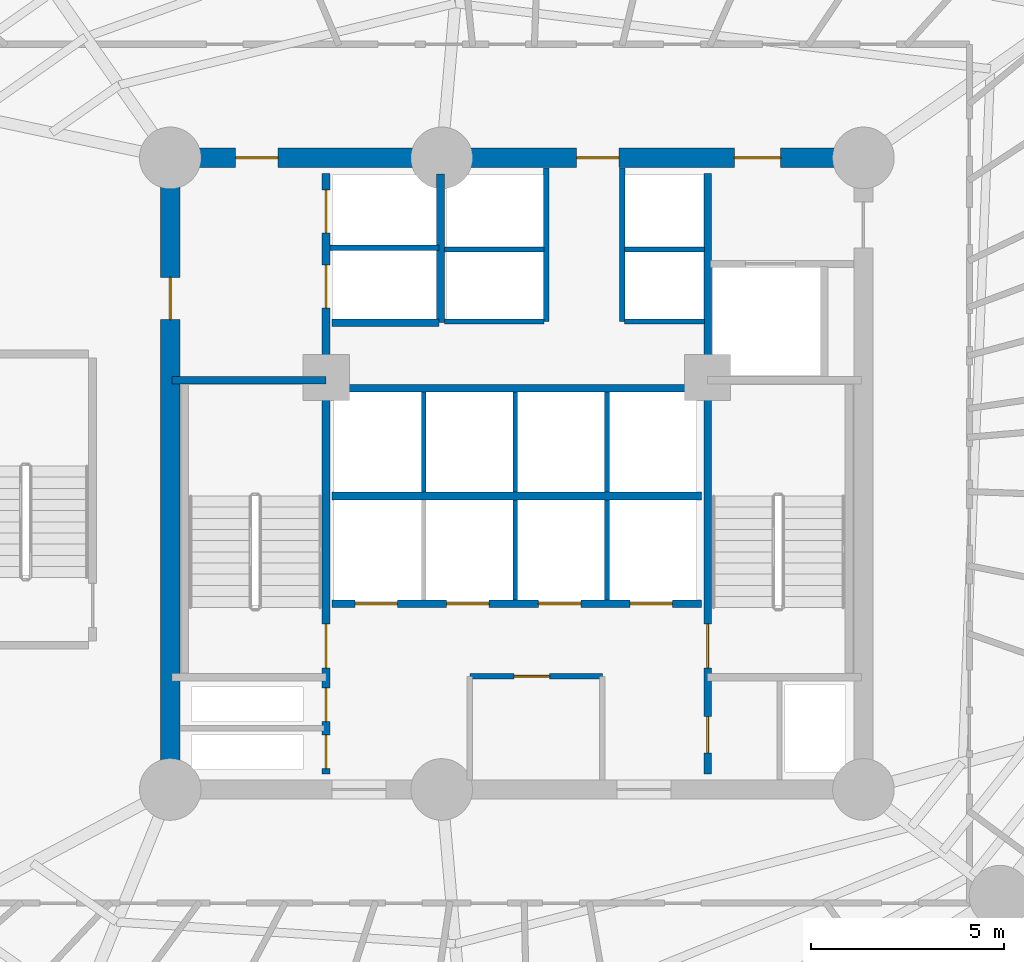
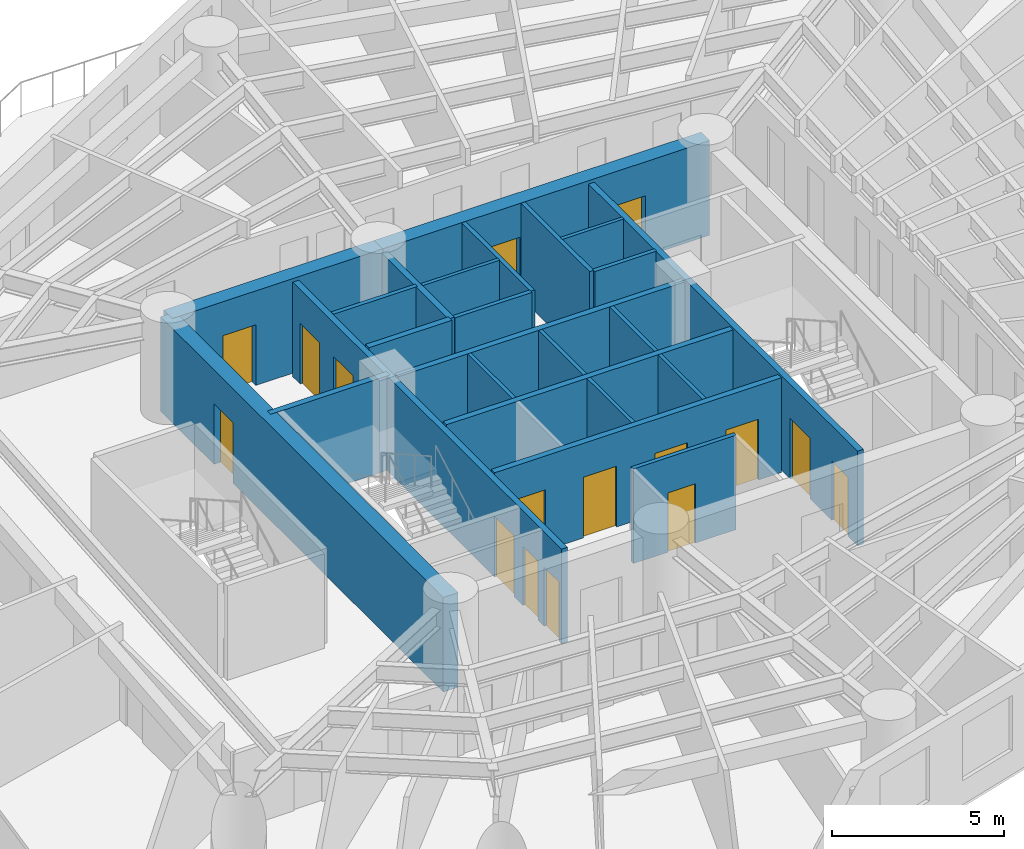
# One storey, part 4 of 9: 24 walls, 16 doors, 16 openings.
"""IFC4 building model written with IfcOpenShell, lengths in metres."""

from ifc_helpers import new_model, si_unit, direction, frame, frame_2d, origin, origin_with_axes, place, context, subcontext, project, spatial, rectangle, extrude, source, transform, mapped, material, layer, layer_set, type_object, element, fill, save


model = new_model("IFC4")

# Units and contexts
model_context = context("Model", 3, precision=1e-05, world=origin(), true_north=direction((0.0, 1.0)))
body_context = subcontext(model_context, "Body", "Model", "MODEL_VIEW")
ifc_project = project(units=[si_unit("LENGTHUNIT", "METRE"), si_unit("AREAUNIT", "SQUARE_METRE"), si_unit("VOLUMEUNIT", "CUBIC_METRE"), si_unit("PLANEANGLEUNIT", "RADIAN"), si_unit("MASSUNIT", "GRAM", prefix="KILO")], contexts=[model_context])

# Site, building, storey
site_placement = place(None, origin())
site = spatial("IfcSite", under=ifc_project, at=site_placement, CompositionType="ELEMENT")
building_placement = place(site_placement, origin())
building = spatial("IfcBuilding", under=site, at=building_placement, Name="Karkom Vertical University and Central Library", CompositionType="ELEMENT")
storey_placement = place(building_placement, frame((0.0, 0.0, 26.5)))
storey = spatial("IfcBuildingStorey", under=building, at=storey_placement, Name="L06", CompositionType="ELEMENT", Elevation=26.5)

# Walls
ifc_material_1 = material(Name="Moisture-resistant drywall 120mm", Category="gypsum")
ifc_layer_1 = layer(ifc_material_1, 0.1201171875)
ifc_layer_set_1 = layer_set([ifc_layer_1], Name="Moisture-resistant drywall 120mm")
wall_type_1 = type_object("IfcWallType", Name="INT-WL-INT-120H", PredefinedType="PARTITIONING", material=ifc_layer_set_1)
for number, where, z_axis, x_axis, name in (
    (1, (28.4599609375, 23.219970703125, 0.0), (0.0, 0.0, 1.0), (0.0, 1.0, 0.0), "Level 06 Interior Partition Wall Level 06-CW-PL-DIV2"),
    (2, (30.840087890625, 23.219970703125, 0.0), (0.0, 0.0, 1.0), (0.0, 1.0, 0.0), "Level 06 Interior Partition Wall Level 06-CW-PL-DIV3"),
    (3, (26.080078125, 26.02001953125, 0.0), (0.0, 0.0, 1.0), (0.0, 1.0, 0.0), "Level 06 Interior Partition Wall Level 06-CW-PM-DIV1"),
    (4, (28.4599609375, 26.02001953125, 0.0), (0.0, 0.0, 1.0), (0.0, 1.0, 0.0), "Level 06 Interior Partition Wall Level 06-CW-PM-DIV2"),
    (5, (30.840087890625, 26.02001953125, 0.0), (0.0, 0.0, 1.0), (0.0, 1.0, 0.0), "Level 06 Interior Partition Wall Level 06-CW-PM-DIV3"),
):
    element("IfcWall", number, at=place(storey_placement, frame(where, z_axis=z_axis, x_axis=x_axis)), inside=storey, type_object=wall_type_1, Name=name, PredefinedType="PARTITIONING", context=body_context, shape_type="SweptSolid", body=[
        extrude(rectangle(XDim=2.60009765625, YDim=0.1201171875, at=frame_2d((1.300048828125, 0.0))), origin(), (0.0, 0.0, 1.0), 3.35009765625),
    ])
wall_1_placement = place(storey_placement, frame((26.6201171875, 32.320068359375, 0.0), z_axis=(0.0, 0.0, 1.0), x_axis=(1.0, 0.0, 0.0)))
element("IfcWall", 6, at=wall_1_placement, inside=storey, type_object=wall_type_1, Name="Level 06 Interior Partition Wall Level 06-CW-PH-MW", PredefinedType="PARTITIONING", context=body_context, shape_type="SweptSolid", body=[
    extrude(rectangle(XDim=2.579833984375, YDim=0.1201171875, at=frame_2d((1.2900390625, 0.0))), origin(), (0.0, 0.0, 1.0), 3.35009765625),
])
wall_2_placement = place(storey_placement, frame((31.300048828125, 32.320068359375, 0.0), z_axis=(0.0, 0.0, 1.0), x_axis=(1.0, 0.0, 0.0)))
element("IfcWall", 7, at=wall_2_placement, inside=storey, type_object=wall_type_1, Name="Level 06 Interior Partition Wall Level 06-CW-PH-ME", PredefinedType="PARTITIONING", context=body_context, shape_type="SweptSolid", body=[
    extrude(rectangle(XDim=2.074951171875, YDim=0.1201171875, at=frame_2d((1.03759765625, 0.0))), origin(), (0.0, 0.0, 1.0), 3.35009765625),
])

# Wall, opening, door
ifc_material_2 = material(Name="Metal-stud gypsum partition 140mm", Category="gypsum")
ifc_layer_2 = layer(ifc_material_2, 0.139892578125)
ifc_layer_set_2 = layer_set([ifc_layer_2], Name="Metal-stud gypsum partition 140mm")
wall_type_2 = type_object("IfcWallType", Name="INT-WL-SUB-140", PredefinedType="PARTITIONING", material=ifc_layer_set_2)
wall_3_placement = place(storey_placement, frame((27.280029296875, 21.239990234375, 0.0), z_axis=(0.0, 0.0, 1.0), x_axis=(1.0, 0.0, 0.0)))
wall_3 = element("IfcWall", 8, at=wall_3_placement, inside=storey, type_object=wall_type_2, Name="Level 06 Interior Partition Wall Level 06-CW-KBAY-N", PredefinedType="PARTITIONING", context=body_context, shape_type="SweptSolid", body=[
    extrude(rectangle(XDim=3.43994140625, YDim=0.139892578125, at=frame_2d((1.719970703125, 0.0))), origin(), (0.0, 0.0, 1.0), 3.35009765625),
])
opening_1_placement = place(wall_3_placement, frame((1.14990234375, 0.0, 0.0)))
opening_1 = element("IfcOpeningElement", 9, at=opening_1_placement, cuts=wall_3, Name="Opening D-SVC1", PredefinedType="OPENING", context=body_context, shape_type="SweptSolid", body=[
    extrude(rectangle(XDim=0.919921875, YDim=2.10009765625, at=frame_2d((0.4599609375, 1.050048828125))), frame((0.0, 0.080078125, 0.0), z_axis=(0.0, -1.0, 0.0), x_axis=(1.0, 0.0, 0.0)), (0.0, 0.0, 1.0), 0.159912109375),
])
ifc_material_3 = material(Name="Painted timber service door", Category="wood")
door_type_1 = type_object("IfcDoorType", Name="INT-DR-SVC1", OperationType="NOTDEFINED", PredefinedType="DOOR", material=ifc_material_3)
shared_shape_1 = source(origin_with_axes(), body_context, "Body", "SweptSolid", [
    extrude(rectangle(XDim=0.919921875, YDim=2.10009765625, at=frame_2d((0.4599609375, 1.050048828125))), frame((0.0, 0.02490234375, 0.0), z_axis=(0.0, -1.0, 0.0), x_axis=(1.0, 0.0, 0.0)), (0.0, 0.0, 1.0), 0.050048828125),
])
door_1_placement = place(opening_1_placement, origin())
door_1 = element("IfcDoor", 10, at=door_1_placement, inside=storey, type_object=door_type_1, Name="Level 06 Comms Room Door", OperationType="SINGLE_SWING_RIGHT", OverallHeight=2.10009765625, OverallWidth=0.919921875, PredefinedType="DOOR", context=body_context, shape_type="MappedRepresentation", body=[
    mapped(shared_shape_1, transform((0.0, 0.0, 0.0), scale=1.0)),
])
fill(opening_1, door_1)

# Walls
ifc_layer_3 = layer(ifc_material_2, 0.139892578125)
ifc_layer_set_3 = layer_set([ifc_layer_3], Name="Metal-stud gypsum partition 140mm")
wall_type_3 = type_object("IfcWallType", Name="INT-WL-SUB-140H", PredefinedType="PARTITIONING", material=ifc_layer_set_3)
for number, where, z_axis, x_axis, name in (
    (11, (29.260009765625, 30.449951171875, 0.0), (0.0, 0.0, 1.0), (0.0, 1.0, 0.0), "Level 06 Interior Partition Wall Level 06-CW-PH-W"),
    (12, (31.239990234375, 30.449951171875, 0.0), (0.0, 0.0, 1.0), (0.0, 1.0, 0.0), "Level 06 Interior Partition Wall Level 06-CW-PH-E"),
):
    element("IfcWall", number, at=place(storey_placement, frame(where, z_axis=z_axis, x_axis=x_axis)), inside=storey, type_object=wall_type_3, Name=name, PredefinedType="PARTITIONING", context=body_context, shape_type="SweptSolid", body=[
        extrude(rectangle(XDim=3.9931640625, YDim=0.139892578125, at=frame_2d((1.99658203125, 0.0))), origin(), (0.0, 0.0, 1.0), 3.35009765625),
    ])
wall_4_placement = place(storey_placement, frame((26.6201171875, 30.449951171875, 0.0), z_axis=(0.0, 0.0, 1.0), x_axis=(1.0, 0.0, 0.0)))
element("IfcWall", 13, at=wall_4_placement, inside=storey, type_object=wall_type_3, Name="Level 06 Interior Partition Wall Level 06-CW-PH-S1", PredefinedType="PARTITIONING", context=body_context, shape_type="SweptSolid", body=[
    extrude(rectangle(XDim=2.579833984375, YDim=0.139892578125, at=frame_2d((1.2900390625, 0.0))), origin(), (0.0, 0.0, 1.0), 3.35009765625),
])
wall_5_placement = place(storey_placement, frame((31.300048828125, 30.449951171875, 0.0), z_axis=(0.0, 0.0, 1.0), x_axis=(1.0, 0.0, 0.0)))
element("IfcWall", 14, at=wall_5_placement, inside=storey, type_object=wall_type_3, Name="Level 06 Interior Partition Wall Level 06-CW-PH-S2", PredefinedType="PARTITIONING", context=body_context, shape_type="SweptSolid", body=[
    extrude(rectangle(XDim=2.074951171875, YDim=0.139892578125, at=frame_2d((1.03759765625, 0.0))), origin(), (0.0, 0.0, 1.0), 3.35009765625),
])
ifc_layer_4 = layer(ifc_material_2, 0.139892578125)
ifc_layer_set_4 = layer_set([ifc_layer_4], Name="Metal-stud gypsum partition 140mm")
wall_type_4 = type_object("IfcWallType", Name="INT-WL-SUB-140X", PredefinedType="PARTITIONING", material=ifc_layer_set_4)
wall_6_placement = place(storey_placement, frame((23.652099609375, 32.3701171875, 0.0), z_axis=(0.0, 0.0, 1.0), x_axis=(1.0, 0.0, 0.0)))
element("IfcWall", 15, at=wall_6_placement, inside=storey, type_object=wall_type_4, Name="Level 06 Interior Partition Wall Level 06-CW-FFL-M", PredefinedType="PARTITIONING", context=body_context, shape_type="SweptSolid", body=[
    extrude(rectangle(XDim=2.827880859375, YDim=0.139892578125, at=frame_2d((1.4140625, 0.0))), origin(), (0.0, 0.0, 1.0), 3.35009765625),
])

# Wall, openings, doors
ifc_material_4 = material(Name="Concrete C50/60", Category="concrete")
ifc_layer_5 = layer(ifc_material_4, 0.5)
ifc_layer_set_5 = layer_set([ifc_layer_5], Name="Concrete C50/60")
wall_type_5 = type_object("IfcWallType", Name="STR-WL-CW-500", PredefinedType="SHEAR", material=ifc_layer_set_5)
wall_7_placement = place(storey_placement, frame((37.5, 34.699951171875, 0.0), z_axis=(0.0, 0.0, 1.0), x_axis=(-1.0, 0.0, 0.0)))
wall_7 = element("IfcWall", 16, at=wall_7_placement, inside=storey, type_object=wall_type_5, Name="Level 06 Central Core Shear Wall NW1", PredefinedType="SHEAR", context=body_context, shape_type="SweptSolid", body=[
    extrude(rectangle(XDim=10.949951171875, YDim=0.5, at=frame_2d((5.47509765625, 0.0))), origin(), (0.0, 0.0, 1.0), 3.35009765625),
])
opening_2_placement = place(wall_7_placement, frame((2.14990234375, 0.0, 0.0)))
opening_2 = element("IfcOpeningElement", 17, at=opening_2_placement, cuts=wall_7, Name="Opening FD-SUB1", PredefinedType="OPENING", context=body_context, shape_type="SweptSolid", body=[
    extrude(rectangle(XDim=1.199951171875, YDim=2.14990234375, at=frame_2d((0.60009765625, 1.074951171875))), frame((0.0, 0.260009765625, 0.0), z_axis=(0.0, -1.0, 0.0), x_axis=(1.0, 0.0, 0.0)), (0.0, 0.0, 1.0), 0.52001953125),
])
opening_3_placement = place(wall_7_placement, frame((6.35009765625, 0.0, 0.0)))
opening_3 = element("IfcOpeningElement", 18, at=opening_3_placement, cuts=wall_7, Name="Opening FD-FFL", PredefinedType="OPENING", context=body_context, shape_type="SweptSolid", body=[
    extrude(rectangle(XDim=1.10009765625, YDim=2.14990234375, at=frame_2d((0.550048828125, 1.074951171875))), frame((0.0, 0.260009765625, 0.0), z_axis=(0.0, -1.0, 0.0), x_axis=(1.0, 0.0, 0.0)), (0.0, 0.0, 1.0), 0.52001953125),
])
ifc_material_5 = material(Name="Painted steel smoke-seal fire door", Category="steel")
door_type_2 = type_object("IfcDoorType", Name="INT-DR-FFL", OperationType="NOTDEFINED", PredefinedType="DOOR", material=ifc_material_5)
shared_shape_2 = source(origin_with_axes(), body_context, "Body", "SweptSolid", [
    extrude(rectangle(XDim=1.10009765625, YDim=2.14990234375, at=frame_2d((0.550048828125, 1.074951171875))), frame((0.0, 0.02490234375, 0.0), z_axis=(0.0, -1.0, 0.0), x_axis=(1.0, 0.0, 0.0)), (0.0, 0.0, 1.0), 0.050048828125),
])
door_2_placement = place(opening_3_placement, origin())
door_2 = element("IfcDoor", 19, at=door_2_placement, inside=storey, type_object=door_type_2, Name="Level 06 North Core Lobby Exit Door", OperationType="SINGLE_SWING_LEFT", OverallHeight=2.14990234375, OverallWidth=1.10009765625, PredefinedType="DOOR", context=body_context, shape_type="MappedRepresentation", body=[
    mapped(shared_shape_2, transform((0.0, 0.0, 0.0), scale=1.0)),
])
fill(opening_3, door_2)
ifc_material_6 = material(Name="Painted steel fire door", Category="steel")
door_type_3 = type_object("IfcDoorType", Name="INT-DR-SUB1", OperationType="NOTDEFINED", PredefinedType="DOOR", material=ifc_material_6)
shared_shape_3 = source(origin_with_axes(), body_context, "Body", "SweptSolid", [
    extrude(rectangle(XDim=1.199951171875, YDim=2.14990234375, at=frame_2d((0.60009765625, 1.074951171875))), frame((0.0, 0.02490234375, 0.0), z_axis=(0.0, -1.0, 0.0), x_axis=(1.0, 0.0, 0.0)), (0.0, 0.0, 1.0), 0.050048828125),
])
door_3_placement = place(opening_2_placement, origin())
door_3 = element("IfcDoor", 20, at=door_3_placement, inside=storey, type_object=door_type_3, Name="Level 06 Service Lobby Fire Door", OperationType="SINGLE_SWING_RIGHT", OverallHeight=2.14990234375, OverallWidth=1.199951171875, PredefinedType="DOOR", context=body_context, shape_type="MappedRepresentation", body=[
    mapped(shared_shape_3, transform((0.0, 0.0, 0.0), scale=1.0)),
])
fill(opening_2, door_3)

# Wall, opening, door
wall_8_placement = place(storey_placement, frame((26.550048828125, 34.699951171875, 0.0), z_axis=(0.0, 0.0, 1.0), x_axis=(-1.0, 0.0, 0.0)))
wall_8 = element("IfcWall", 21, at=wall_8_placement, inside=storey, type_object=wall_type_5, Name="Level 06 Central Core Shear Wall NW2", PredefinedType="SHEAR", context=body_context, shape_type="SweptSolid", body=[
    extrude(rectangle(XDim=7.050048828125, YDim=0.5, at=frame_2d((3.52490234375, 0.0))), origin(), (0.0, 0.0, 1.0), 3.35009765625),
])
opening_4_placement = place(wall_8_placement, frame((4.25, 0.0, 0.0)))
opening_4 = element("IfcOpeningElement", 22, at=opening_4_placement, cuts=wall_8, Name="Opening FD-FFL", PredefinedType="OPENING", context=body_context, shape_type="SweptSolid", body=[
    extrude(rectangle(XDim=1.10009765625, YDim=2.14990234375, at=frame_2d((0.550048828125, 1.074951171875))), frame((0.0, 0.260009765625, 0.0), z_axis=(0.0, -1.0, 0.0), x_axis=(1.0, 0.0, 0.0)), (0.0, 0.0, 1.0), 0.52001953125),
])
door_4_placement = place(opening_4_placement, origin())
door_4 = element("IfcDoor", 23, at=door_4_placement, inside=storey, type_object=door_type_2, Name="Level 06 Firefighting Lobby Door", OperationType="SINGLE_SWING_LEFT", OverallHeight=2.14990234375, OverallWidth=1.10009765625, PredefinedType="DOOR", context=body_context, shape_type="MappedRepresentation", body=[
    mapped(shared_shape_2, transform((0.0, 0.0, 0.0), scale=1.0)),
])
fill(opening_4, door_4)

wall_9_placement = place(storey_placement, frame((19.5, 34.699951171875, 0.0), z_axis=(0.0, 0.0, 1.0), x_axis=(0.0, -1.0, 0.0)))
wall_9 = element("IfcWall", 24, at=wall_9_placement, inside=storey, type_object=wall_type_5, Name="Level 06 Central Core Shear Wall WW", PredefinedType="SHEAR", context=body_context, shape_type="SweptSolid", body=[
    extrude(rectangle(XDim=16.39990234375, YDim=0.5, at=frame_2d((8.199951171875, 0.0))), origin(), (0.0, 0.0, 1.0), 3.35009765625),
])
opening_5_placement = place(wall_9_placement, frame((3.10009765625, 0.0, 0.0)))
opening_5 = element("IfcOpeningElement", 25, at=opening_5_placement, cuts=wall_9, Name="Opening FD-FFL", PredefinedType="OPENING", context=body_context, shape_type="SweptSolid", body=[
    extrude(rectangle(XDim=1.10009765625, YDim=2.14990234375, at=frame_2d((0.550048828125, 1.074951171875))), frame((0.0, 0.260009765625, 0.0), z_axis=(0.0, -1.0, 0.0), x_axis=(1.0, 0.0, 0.0)), (0.0, 0.0, 1.0), 0.52001953125),
])
door_5_placement = place(opening_5_placement, origin())
door_5 = element("IfcDoor", 26, at=door_5_placement, inside=storey, type_object=door_type_2, Name="Level 06 West Corridor Firefighting Lobby Door", OperationType="SINGLE_SWING_RIGHT", OverallHeight=2.14990234375, OverallWidth=1.10009765625, PredefinedType="DOOR", context=body_context, shape_type="MappedRepresentation", body=[
    mapped(shared_shape_2, transform((0.0, 0.0, 0.0), scale=1.0)),
])
fill(opening_5, door_5)

# Wall, openings, doors
ifc_material_7 = material(Name="Concrete C45/55", Category="concrete")
ifc_layer_6 = layer(ifc_material_7, 0.199951171875)
ifc_layer_set_6 = layer_set([ifc_layer_6], Name="Concrete C45/55")
wall_type_6 = type_object("IfcWallType", Name="STR-WL-ST-200", PredefinedType="SHEAR", material=ifc_layer_set_6)
wall_10_placement = place(storey_placement, frame((23.544921875, 18.699951171875, 0.0), z_axis=(0.0, 0.0, 1.0), x_axis=(0.0, 1.0, 0.0)))
wall_10 = element("IfcWall", 27, at=wall_10_placement, inside=storey, type_object=wall_type_6, Name="Level 06 Core Shaft Wall Level 06-CW-ST1-E", PredefinedType="SHEAR", context=body_context, shape_type="SweptSolid", body=[
    extrude(rectangle(XDim=15.60009765625, YDim=0.199951171875, at=frame_2d((7.800048828125, 0.0))), origin(), (0.0, 0.0, 1.0), 3.35009765625),
])
opening_6_placement = place(wall_10_placement, frame((2.75, 0.0, 0.0)))
opening_6 = element("IfcOpeningElement", 28, at=opening_6_placement, cuts=wall_10, Name="Opening FD-ST1", PredefinedType="OPENING", context=body_context, shape_type="SweptSolid", body=[
    extrude(rectangle(XDim=1.14990234375, YDim=2.14990234375, at=frame_2d((0.574951171875, 1.074951171875))), frame((0.0, 0.10986328125, 0.0), z_axis=(0.0, -1.0, 0.0), x_axis=(1.0, 0.0, 0.0)), (0.0, 0.0, 1.0), 0.219970703125),
])
opening_7_placement = place(wall_10_placement, frame((0.139892578125, 0.0, 0.0)))
opening_7 = element("IfcOpeningElement", 29, at=opening_7_placement, cuts=wall_10, Name="Opening FD-RIS", PredefinedType="OPENING", context=body_context, shape_type="SweptSolid", body=[
    extrude(rectangle(XDim=0.8798828125, YDim=2.10009765625, at=frame_2d((0.43994140625, 1.050048828125))), frame((0.0, 0.10986328125, 0.0), z_axis=(0.0, -1.0, 0.0), x_axis=(1.0, 0.0, 0.0)), (0.0, 0.0, 1.0), 0.219970703125),
])
opening_8_placement = place(wall_10_placement, frame((1.360107421875, 0.0, 0.0)))
opening_8 = element("IfcOpeningElement", 30, at=opening_8_placement, cuts=wall_10, Name="Opening FD-RIS", PredefinedType="OPENING", context=body_context, shape_type="SweptSolid", body=[
    extrude(rectangle(XDim=0.8798828125, YDim=2.10009765625, at=frame_2d((0.43994140625, 1.050048828125))), frame((0.0, 0.10986328125, 0.0), z_axis=(0.0, -1.0, 0.0), x_axis=(1.0, 0.0, 0.0)), (0.0, 0.0, 1.0), 0.219970703125),
])
opening_9_placement = place(wall_10_placement, frame((12.10009765625, 0.0, 0.0)))
opening_9 = element("IfcOpeningElement", 31, at=opening_9_placement, cuts=wall_10, Name="Opening LD-FFL", PredefinedType="OPENING", context=body_context, shape_type="SweptSolid", body=[
    extrude(rectangle(XDim=1.1201171875, YDim=2.14990234375, at=frame_2d((0.56005859375, 1.074951171875))), frame((0.0, 0.10986328125, 0.0), z_axis=(0.0, -1.0, 0.0), x_axis=(1.0, 0.0, 0.0)), (0.0, 0.0, 1.0), 0.219970703125),
])
opening_10_placement = place(wall_10_placement, frame((14.050048828125, 0.0, 0.0)))
opening_10 = element("IfcOpeningElement", 32, at=opening_10_placement, cuts=wall_10, Name="Opening LD-FFL", PredefinedType="OPENING", context=body_context, shape_type="SweptSolid", body=[
    extrude(rectangle(XDim=1.1201171875, YDim=2.14990234375, at=frame_2d((0.56005859375, 1.074951171875))), frame((0.0, 0.10986328125, 0.0), z_axis=(0.0, -1.0, 0.0), x_axis=(1.0, 0.0, 0.0)), (0.0, 0.0, 1.0), 0.219970703125),
])
ifc_material_8 = material(Name="Painted steel acoustic fire door", Category="steel")
door_type_4 = type_object("IfcDoorType", Name="INT-DR-ST1", OperationType="NOTDEFINED", PredefinedType="DOOR", material=ifc_material_8)
shared_shape_4 = source(origin_with_axes(), body_context, "Body", "SweptSolid", [
    extrude(rectangle(XDim=1.14990234375, YDim=2.14990234375, at=frame_2d((0.574951171875, 1.074951171875))), frame((0.0, 0.02490234375, 0.0), z_axis=(0.0, -1.0, 0.0), x_axis=(1.0, 0.0, 0.0)), (0.0, 0.0, 1.0), 0.050048828125),
])
door_6_placement = place(opening_6_placement, origin())
door_6 = element("IfcDoor", 33, at=door_6_placement, inside=storey, type_object=door_type_4, Name="Level 06 Stair ST-1 Fire Door", OperationType="SINGLE_SWING_LEFT", OverallHeight=2.14990234375, OverallWidth=1.14990234375, PredefinedType="DOOR", context=body_context, shape_type="MappedRepresentation", body=[
    mapped(shared_shape_4, transform((0.0, 0.0, 0.0), scale=1.0)),
])
fill(opening_6, door_6)
ifc_material_9 = material(Name="Painted steel riser access door", Category="steel")
door_type_5 = type_object("IfcDoorType", Name="INT-DR-RIS", OperationType="NOTDEFINED", PredefinedType="DOOR", material=ifc_material_9)
shared_shape_5 = source(origin_with_axes(), body_context, "Body", "SweptSolid", [
    extrude(rectangle(XDim=0.8798828125, YDim=2.10009765625, at=frame_2d((0.43994140625, 1.050048828125))), frame((0.0, 0.02490234375, 0.0), z_axis=(0.0, -1.0, 0.0), x_axis=(1.0, 0.0, 0.0)), (0.0, 0.0, 1.0), 0.050048828125),
])
door_7_placement = place(opening_7_placement, origin())
door_7 = element("IfcDoor", 34, at=door_7_placement, inside=storey, type_object=door_type_5, Name="Level 06 Electrical Riser Access Door", OperationType="SINGLE_SWING_LEFT", OverallHeight=2.10009765625, OverallWidth=0.8798828125, PredefinedType="DOOR", context=body_context, shape_type="MappedRepresentation", body=[
    mapped(shared_shape_5, transform((0.0, 0.0, 0.0), scale=1.0)),
])
fill(opening_7, door_7)
door_8_placement = place(opening_8_placement, origin())
door_8 = element("IfcDoor", 35, at=door_8_placement, inside=storey, type_object=door_type_5, Name="Level 06 Telecom Riser Access Door", OperationType="SINGLE_SWING_RIGHT", OverallHeight=2.10009765625, OverallWidth=0.8798828125, PredefinedType="DOOR", context=body_context, shape_type="MappedRepresentation", body=[
    mapped(shared_shape_5, transform((0.0, 0.0, 0.0), scale=1.0)),
])
fill(opening_8, door_8)
ifc_material_10 = material(Name="Fire-rated stainless-steel landing door", Category="steel")
door_type_6 = type_object("IfcDoorType", Name="INT-DR-LD-FFL", OperationType="SLIDING_TO_LEFT", PredefinedType="DOOR", material=ifc_material_10)
shared_shape_6 = source(origin_with_axes(), body_context, "Body", "SweptSolid", [
    extrude(rectangle(XDim=1.1201171875, YDim=2.14990234375, at=frame_2d((0.56005859375, 1.074951171875))), frame((0.0, 0.02490234375, 0.0), z_axis=(0.0, -1.0, 0.0), x_axis=(1.0, 0.0, 0.0)), (0.0, 0.0, 1.0), 0.050048828125),
])
door_9_placement = place(opening_9_placement, origin())
door_9 = element("IfcDoor", 36, at=door_9_placement, inside=storey, type_object=door_type_6, Name="Level 06 Firefighting Lift FFL-1 Landing Door", OperationType="SLIDING_TO_LEFT", OverallHeight=2.14990234375, OverallWidth=1.1201171875, PredefinedType="DOOR", context=body_context, shape_type="MappedRepresentation", body=[
    mapped(shared_shape_6, transform((0.0, 0.0, 0.0), scale=1.0)),
])
fill(opening_9, door_9)
door_10_placement = place(opening_10_placement, origin())
door_10 = element("IfcDoor", 37, at=door_10_placement, inside=storey, type_object=door_type_6, Name="Level 06 Firefighting Lift FFL-2 Landing Door", OperationType="SLIDING_TO_RIGHT", OverallHeight=2.14990234375, OverallWidth=1.1201171875, PredefinedType="DOOR", context=body_context, shape_type="MappedRepresentation", body=[
    mapped(shared_shape_6, transform((0.0, 0.0, 0.0), scale=1.0)),
])
fill(opening_10, door_10)

wall_11_placement = place(storey_placement, frame((33.455078125, 18.699951171875, 0.0), z_axis=(0.0, 0.0, 1.0), x_axis=(0.0, 1.0, 0.0)))
wall_11 = element("IfcWall", 38, at=wall_11_placement, inside=storey, type_object=wall_type_6, Name="Level 06 Core Shaft Wall Level 06-CW-ST2-W", PredefinedType="SHEAR", context=body_context, shape_type="SweptSolid", body=[
    extrude(rectangle(XDim=15.60009765625, YDim=0.199951171875, at=frame_2d((7.800048828125, 0.0))), origin(), (0.0, 0.0, 1.0), 3.35009765625),
])
opening_11_placement = place(wall_11_placement, frame((2.75, 0.0, 0.0)))
opening_11 = element("IfcOpeningElement", 39, at=opening_11_placement, cuts=wall_11, Name="Opening FD-ST1", PredefinedType="OPENING", context=body_context, shape_type="SweptSolid", body=[
    extrude(rectangle(XDim=1.14990234375, YDim=2.14990234375, at=frame_2d((0.574951171875, 1.074951171875))), frame((0.0, 0.10986328125, 0.0), z_axis=(0.0, -1.0, 0.0), x_axis=(1.0, 0.0, 0.0)), (0.0, 0.0, 1.0), 0.219970703125),
])
opening_12_placement = place(wall_11_placement, frame((0.550048828125, 0.0, 0.0)))
opening_12 = element("IfcOpeningElement", 40, at=opening_12_placement, cuts=wall_11, Name="Opening D-WC1", PredefinedType="OPENING", context=body_context, shape_type="SweptSolid", body=[
    extrude(rectangle(XDim=0.93994140625, YDim=2.10009765625, at=frame_2d((0.469970703125, 1.050048828125))), frame((0.0, 0.10986328125, 0.0), z_axis=(0.0, -1.0, 0.0), x_axis=(1.0, 0.0, 0.0)), (0.0, 0.0, 1.0), 0.219970703125),
])
door_11_placement = place(opening_11_placement, origin())
door_11 = element("IfcDoor", 41, at=door_11_placement, inside=storey, type_object=door_type_4, Name="Level 06 Stair ST-2 Fire Door", OperationType="SINGLE_SWING_RIGHT", OverallHeight=2.14990234375, OverallWidth=1.14990234375, PredefinedType="DOOR", context=body_context, shape_type="MappedRepresentation", body=[
    mapped(shared_shape_4, transform((0.0, 0.0, 0.0), scale=1.0)),
])
fill(opening_11, door_11)
ifc_material_11 = material(Name="Fire-rated laminate moisture-resistant door", Category="wood")
door_type_7 = type_object("IfcDoorType", Name="INT-DR-WC1", OperationType="NOTDEFINED", PredefinedType="DOOR", material=ifc_material_11)
shared_shape_7 = source(origin_with_axes(), body_context, "Body", "SweptSolid", [
    extrude(rectangle(XDim=0.93994140625, YDim=2.10009765625, at=frame_2d((0.469970703125, 1.050048828125))), frame((0.0, 0.02490234375, 0.0), z_axis=(0.0, -1.0, 0.0), x_axis=(1.0, 0.0, 0.0)), (0.0, 0.0, 1.0), 0.050048828125),
])
door_12_placement = place(opening_12_placement, origin())
door_12 = element("IfcDoor", 42, at=door_12_placement, inside=storey, type_object=door_type_7, Name="Level 06 Accessible WC Door", OperationType="SINGLE_SWING_LEFT", OverallHeight=2.10009765625, OverallWidth=0.93994140625, PredefinedType="DOOR", context=body_context, shape_type="MappedRepresentation", body=[
    mapped(shared_shape_7, transform((0.0, 0.0, 0.0), scale=1.0)),
])
fill(opening_12, door_12)

wall_12_placement = place(storey_placement, frame((23.699951171875, 23.1201171875, 0.0), z_axis=(0.0, 0.0, 1.0), x_axis=(1.0, 0.0, 0.0)))
wall_12 = element("IfcWall", 43, at=wall_12_placement, inside=storey, type_object=wall_type_6, Name="Level 06 Core Shaft Wall Level 06-CW-B1-S", PredefinedType="SHEAR", context=body_context, shape_type="SweptSolid", body=[
    extrude(rectangle(XDim=9.60009765625, YDim=0.199951171875, at=frame_2d((4.800048828125, 0.0))), origin(), (0.0, 0.0, 1.0), 3.35009765625),
])
opening_13_placement = place(wall_12_placement, frame((0.60009765625, 0.0, 0.0)))
opening_13 = element("IfcOpeningElement", 44, at=opening_13_placement, cuts=wall_12, Name="Opening LD-PAX", PredefinedType="OPENING", context=body_context, shape_type="SweptSolid", body=[
    extrude(rectangle(XDim=1.10009765625, YDim=2.14990234375, at=frame_2d((0.550048828125, 1.074951171875))), frame((0.0, 0.10986328125, 0.0), z_axis=(0.0, -1.0, 0.0), x_axis=(1.0, 0.0, 0.0)), (0.0, 0.0, 1.0), 0.219970703125),
])
opening_14_placement = place(wall_12_placement, frame((2.97998046875, 0.0, 0.0)))
opening_14 = element("IfcOpeningElement", 45, at=opening_14_placement, cuts=wall_12, Name="Opening LD-PAX", PredefinedType="OPENING", context=body_context, shape_type="SweptSolid", body=[
    extrude(rectangle(XDim=1.10009765625, YDim=2.14990234375, at=frame_2d((0.550048828125, 1.074951171875))), frame((0.0, 0.10986328125, 0.0), z_axis=(0.0, -1.0, 0.0), x_axis=(1.0, 0.0, 0.0)), (0.0, 0.0, 1.0), 0.219970703125),
])
opening_15_placement = place(wall_12_placement, frame((5.360107421875, 0.0, 0.0)))
opening_15 = element("IfcOpeningElement", 46, at=opening_15_placement, cuts=wall_12, Name="Opening LD-PAX", PredefinedType="OPENING", context=body_context, shape_type="SweptSolid", body=[
    extrude(rectangle(XDim=1.10009765625, YDim=2.14990234375, at=frame_2d((0.550048828125, 1.074951171875))), frame((0.0, 0.10986328125, 0.0), z_axis=(0.0, -1.0, 0.0), x_axis=(1.0, 0.0, 0.0)), (0.0, 0.0, 1.0), 0.219970703125),
])
opening_16_placement = place(wall_12_placement, frame((7.739990234375, 0.0, 0.0)))
opening_16 = element("IfcOpeningElement", 47, at=opening_16_placement, cuts=wall_12, Name="Opening LD-PAX", PredefinedType="OPENING", context=body_context, shape_type="SweptSolid", body=[
    extrude(rectangle(XDim=1.10009765625, YDim=2.14990234375, at=frame_2d((0.550048828125, 1.074951171875))), frame((0.0, 0.10986328125, 0.0), z_axis=(0.0, -1.0, 0.0), x_axis=(1.0, 0.0, 0.0)), (0.0, 0.0, 1.0), 0.219970703125),
])
ifc_material_12 = material(Name="Brushed stainless-steel landing door", Category="steel")
door_type_8 = type_object("IfcDoorType", Name="INT-DR-LD-PAX", OperationType="SLIDING_TO_LEFT", PredefinedType="DOOR", material=ifc_material_12)
door_13_placement = place(opening_13_placement, origin())
door_13 = element("IfcDoor", 48, at=door_13_placement, inside=storey, type_object=door_type_8, Name="Level 06 Lift PL-1 Landing Door", OperationType="SLIDING_TO_LEFT", OverallHeight=2.14990234375, OverallWidth=1.10009765625, PredefinedType="DOOR", context=body_context, shape_type="MappedRepresentation", body=[
    mapped(shared_shape_2, transform((0.0, 0.0, 0.0), scale=1.0)),
])
fill(opening_13, door_13)
door_14_placement = place(opening_14_placement, origin())
door_14 = element("IfcDoor", 49, at=door_14_placement, inside=storey, type_object=door_type_8, Name="Level 06 Lift PL-2 Landing Door", OperationType="SLIDING_TO_RIGHT", OverallHeight=2.14990234375, OverallWidth=1.10009765625, PredefinedType="DOOR", context=body_context, shape_type="MappedRepresentation", body=[
    mapped(shared_shape_2, transform((0.0, 0.0, 0.0), scale=1.0)),
])
fill(opening_14, door_14)
door_15_placement = place(opening_15_placement, origin())
door_15 = element("IfcDoor", 50, at=door_15_placement, inside=storey, type_object=door_type_8, Name="Level 06 Lift PL-3 Landing Door", OperationType="SLIDING_TO_LEFT", OverallHeight=2.14990234375, OverallWidth=1.10009765625, PredefinedType="DOOR", context=body_context, shape_type="MappedRepresentation", body=[
    mapped(shared_shape_2, transform((0.0, 0.0, 0.0), scale=1.0)),
])
fill(opening_15, door_15)
door_16_placement = place(opening_16_placement, origin())
door_16 = element("IfcDoor", 51, at=door_16_placement, inside=storey, type_object=door_type_8, Name="Level 06 Lift PL-4 Landing Door", OperationType="SLIDING_TO_RIGHT", OverallHeight=2.14990234375, OverallWidth=1.10009765625, PredefinedType="DOOR", context=body_context, shape_type="MappedRepresentation", body=[
    mapped(shared_shape_2, transform((0.0, 0.0, 0.0), scale=1.0)),
])
fill(opening_16, door_16)

# Walls
for number, where, z_axis, x_axis, name in (
    (52, (23.699951171875, 25.919921875, 0.0), (0.0, 0.0, 1.0), (1.0, 0.0, 0.0), "Level 06 Core Shaft Wall Level 06-CW-B1-N"),
    (53, (23.699951171875, 28.719970703125, 0.0), (0.0, 0.0, 1.0), (1.0, 0.0, 0.0), "Level 06 Core Shaft Wall Level 06-CW-B2-N"),
):
    element("IfcWall", number, at=place(storey_placement, frame(where, z_axis=z_axis, x_axis=x_axis)), inside=storey, type_object=wall_type_6, Name=name, PredefinedType="SHEAR", context=body_context, shape_type="SweptSolid", body=[
        extrude(rectangle(XDim=9.60009765625, YDim=0.199951171875, at=frame_2d((4.800048828125, 0.0))), origin(), (0.0, 0.0, 1.0), 3.35009765625),
    ])
wall_13_placement = place(storey_placement, frame((19.550048828125, 28.925048828125, 0.0), z_axis=(0.0, 0.0, 1.0), x_axis=(1.0, 0.0, 0.0)))
element("IfcWall", 54, at=wall_13_placement, inside=storey, type_object=wall_type_6, Name="Level 06 Core Shaft Wall Level 06-CW-ST1-N", PredefinedType="SHEAR", context=body_context, shape_type="SweptSolid", body=[
    extrude(rectangle(XDim=3.994873046875, YDim=0.199951171875, at=frame_2d((1.99755859375, 0.0))), origin(), (0.0, 0.0, 1.0), 3.35009765625),
])
wall_14_placement = place(storey_placement, frame((26.52001953125, 30.419921875, 0.0), z_axis=(0.0, 0.0, 1.0), x_axis=(0.0, 1.0, 0.0)))
element("IfcWall", 55, at=wall_14_placement, inside=storey, type_object=wall_type_6, Name="Level 06 Core Shaft Wall Level 06-CW-FFL-E", PredefinedType="SHEAR", context=body_context, shape_type="SweptSolid", body=[
    extrude(rectangle(XDim=3.860107421875, YDim=0.199951171875, at=frame_2d((1.93017578125, 0.0))), origin(), (0.0, 0.0, 1.0), 3.35009765625),
])
wall_15_placement = place(storey_placement, frame((23.699951171875, 30.419921875, 0.0), z_axis=(0.0, 0.0, 1.0), x_axis=(1.0, 0.0, 0.0)))
element("IfcWall", 56, at=wall_15_placement, inside=storey, type_object=wall_type_6, Name="Level 06 Core Shaft Wall Level 06-CW-FFL-S", PredefinedType="SHEAR", context=body_context, shape_type="SweptSolid", body=[
    extrude(rectangle(XDim=2.780029296875, YDim=0.199951171875, at=frame_2d((1.39013671875, 0.0))), origin(), (0.0, 0.0, 1.0), 3.35009765625),
])

save(model, "model.ifc")
